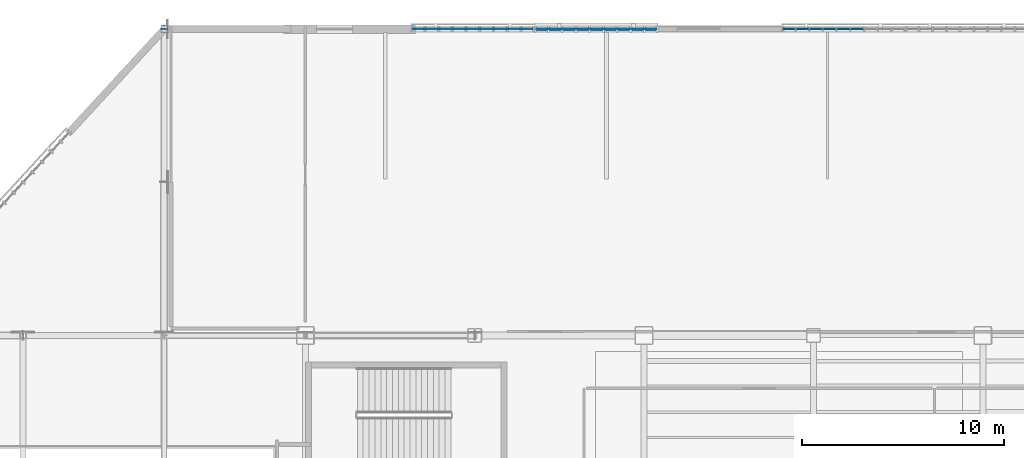
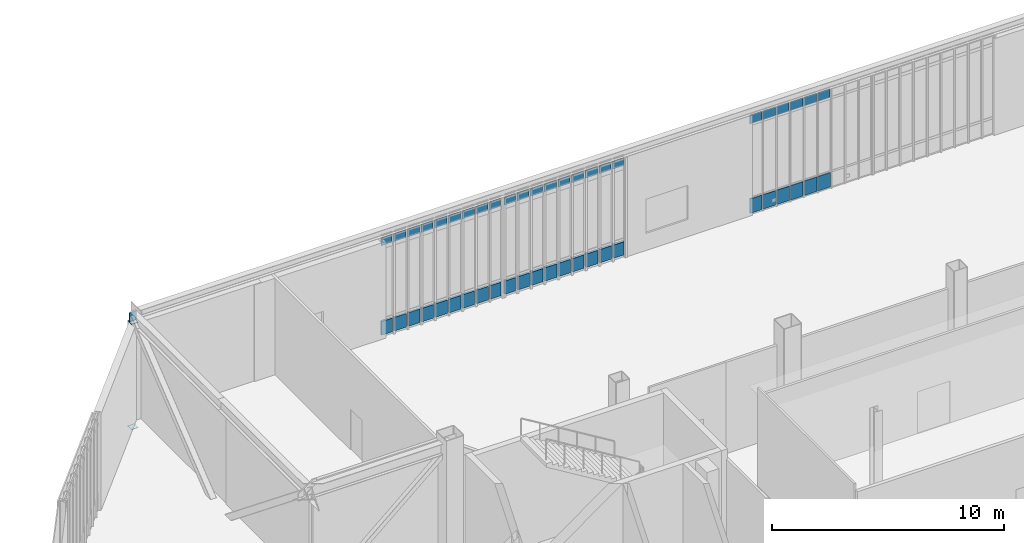
# One storey, part 97 of 135: 51 plates, 3 elements without a shape of their own.
"""IFC4 building model written with IfcOpenShell, lengths in metres."""

from ifc_helpers import new_model, si_unit, direction, frame, origin, origin_2d, place, context, subcontext, project, spatial, rectangle, extrude, material, layer, layer_set, type_object, element, aggregate, save


model = new_model("IFC4")

# Units and contexts
model_context = context("Model", 3, precision=1e-05, world=origin(), true_north=direction((0.0, 1.0)))
body_context = subcontext(model_context, "Body", "Model", "MODEL_VIEW")
ifc_project = project(units=[si_unit("LENGTHUNIT", "METRE"), si_unit("AREAUNIT", "SQUARE_METRE"), si_unit("VOLUMEUNIT", "CUBIC_METRE"), si_unit("PLANEANGLEUNIT", "RADIAN"), si_unit("MASSUNIT", "GRAM", prefix="KILO")], contexts=[model_context])

# Site, building, storey
site_placement = place(None, origin())
site = spatial("IfcSite", under=ifc_project, at=site_placement, CompositionType="ELEMENT")
building_placement = place(site_placement, origin())
building = spatial("IfcBuilding", under=site, at=building_placement, Name="Larkvane Passage Sports Hall", CompositionType="ELEMENT")
storey_placement = place(building_placement, frame((0.0, 0.0, 10.800048828125)))
storey = spatial("IfcBuildingStorey", under=building, at=storey_placement, Name="L02", CompositionType="ELEMENT", Elevation=10.800048828125)

# Curtain wall, plates
ifc_material_1 = material(Name="Thermally broken aluminium and low-E glazing", Category="aluminium")
curtain_wall_type_1 = type_object("IfcCurtainWallType", Name="CW-STICK-FOYER", PredefinedType="USERDEFINED", material=ifc_material_1)
curtain_wall_1_placement = place(storey_placement, origin())
curtain_wall_1 = element("IfcCurtainWall", 1, at=curtain_wall_1_placement, inside=storey, type_object=curtain_wall_type_1, Name="Curtain wall CW5-L02-098", ObjectType="STICK CURTAIN WALL", PredefinedType="USERDEFINED")
ifc_material_2 = material(Name="Fire-stopped shadow-box spandrel panel")
ifc_layer_1 = layer(ifc_material_2, 0.10498046875)
ifc_layer_set_1 = layer_set([ifc_layer_1], Name="Fire-stopped shadow-box spandrel panel")
plate_type_1 = type_object("IfcPlateType", Name="CWP-SPD-105", PredefinedType="CURTAIN_PANEL", material=ifc_layer_set_1)
plate_1_placement = place(storey_placement, frame((40.412841796875, 106.800048828125, 0.08984375), z_axis=(0.0, 0.0, 1.0), x_axis=(1.0, 0.0, 0.0)))
plate_1 = element("IfcPlate", 2, at=plate_1_placement, type_object=plate_type_1, Name="CW-03 panel 1.1", PredefinedType="CURTAIN_PANEL", context=body_context, shape_type="SweptSolid", body=[
    extrude(rectangle(XDim=0.545654296875, YDim=0.10498046875, at=origin_2d()), origin(), (0.0, 0.0, 1.0), 0.715087890625),
])
plate_2_placement = place(storey_placement, frame((41.07080078125, 106.800048828125, 0.08984375), z_axis=(0.0, 0.0, 1.0), x_axis=(1.0, 0.0, 0.0)))
plate_2 = element("IfcPlate", 3, at=plate_2_placement, type_object=plate_type_1, Name="CW-03 panel 2.1", PredefinedType="CURTAIN_PANEL", context=body_context, shape_type="SweptSolid", body=[
    extrude(rectangle(XDim=0.590576171875, YDim=0.10498046875, at=origin_2d()), origin(), (0.0, 0.0, 1.0), 0.715087890625),
])
plate_3_placement = place(storey_placement, frame((41.75146484375, 106.800048828125, 0.08984375), z_axis=(0.0, 0.0, 1.0), x_axis=(1.0, 0.0, 0.0)))
plate_3 = element("IfcPlate", 4, at=plate_3_placement, type_object=plate_type_1, Name="CW-03 panel 3.1", PredefinedType="CURTAIN_PANEL", context=body_context, shape_type="SweptSolid", body=[
    extrude(rectangle(XDim=0.590576171875, YDim=0.10498046875, at=origin_2d()), origin(), (0.0, 0.0, 1.0), 0.715087890625),
])
plate_4_placement = place(storey_placement, frame((42.431884765625, 106.800048828125, 0.08984375), z_axis=(0.0, 0.0, 1.0), x_axis=(1.0, 0.0, 0.0)))
plate_4 = element("IfcPlate", 5, at=plate_4_placement, type_object=plate_type_1, Name="CW-03 panel 4.1", PredefinedType="CURTAIN_PANEL", context=body_context, shape_type="SweptSolid", body=[
    extrude(rectangle(XDim=0.590576171875, YDim=0.10498046875, at=origin_2d()), origin(), (0.0, 0.0, 1.0), 0.715087890625),
])
plate_5_placement = place(storey_placement, frame((43.112548828125, 106.800048828125, 0.08984375), z_axis=(0.0, 0.0, 1.0), x_axis=(1.0, 0.0, 0.0)))
plate_5 = element("IfcPlate", 6, at=plate_5_placement, type_object=plate_type_1, Name="CW-03 panel 5.1", PredefinedType="CURTAIN_PANEL", context=body_context, shape_type="SweptSolid", body=[
    extrude(rectangle(XDim=0.590576171875, YDim=0.10498046875, at=origin_2d()), origin(), (0.0, 0.0, 1.0), 0.715087890625),
])
plate_6_placement = place(storey_placement, frame((43.79296875, 106.800048828125, 0.08984375), z_axis=(0.0, 0.0, 1.0), x_axis=(1.0, 0.0, 0.0)))
plate_6 = element("IfcPlate", 7, at=plate_6_placement, type_object=plate_type_1, Name="CW-03 panel 6.1", PredefinedType="CURTAIN_PANEL", context=body_context, shape_type="SweptSolid", body=[
    extrude(rectangle(XDim=0.590576171875, YDim=0.10498046875, at=origin_2d()), origin(), (0.0, 0.0, 1.0), 0.715087890625),
])
plate_7_placement = place(storey_placement, frame((44.4736328125, 106.800048828125, 0.08984375), z_axis=(0.0, 0.0, 1.0), x_axis=(1.0, 0.0, 0.0)))
plate_7 = element("IfcPlate", 8, at=plate_7_placement, type_object=plate_type_1, Name="CW-03 panel 7.1", PredefinedType="CURTAIN_PANEL", context=body_context, shape_type="SweptSolid", body=[
    extrude(rectangle(XDim=0.590576171875, YDim=0.10498046875, at=origin_2d()), origin(), (0.0, 0.0, 1.0), 0.715087890625),
])
plate_8_placement = place(storey_placement, frame((45.154052734375, 106.800048828125, 0.08984375), z_axis=(0.0, 0.0, 1.0), x_axis=(1.0, 0.0, 0.0)))
plate_8 = element("IfcPlate", 9, at=plate_8_placement, type_object=plate_type_1, Name="CW-03 panel 8.1", PredefinedType="CURTAIN_PANEL", context=body_context, shape_type="SweptSolid", body=[
    extrude(rectangle(XDim=0.590576171875, YDim=0.10498046875, at=origin_2d()), origin(), (0.0, 0.0, 1.0), 0.715087890625),
])
plate_9_placement = place(storey_placement, frame((45.812255859375, 106.800048828125, 0.08984375), z_axis=(0.0, 0.0, 1.0), x_axis=(1.0, 0.0, 0.0)))
plate_9 = element("IfcPlate", 10, at=plate_9_placement, type_object=plate_type_1, Name="CW-03 panel 9.1", PredefinedType="CURTAIN_PANEL", context=body_context, shape_type="SweptSolid", body=[
    extrude(rectangle(XDim=0.545654296875, YDim=0.10498046875, at=origin_2d()), origin(), (0.0, 0.0, 1.0), 0.715087890625),
])

curtain_wall_type_2 = type_object("IfcCurtainWallType", Name="CW-CLINIC", PredefinedType="USERDEFINED", material=ifc_material_1)
curtain_wall_2_placement = place(storey_placement, origin())
curtain_wall_2 = element("IfcCurtainWall", 11, at=curtain_wall_2_placement, inside=storey, type_object=curtain_wall_type_2, Name="Curtain wall CW5-L02-099", ObjectType="UNITISED CURTAIN WALL", PredefinedType="USERDEFINED")
ifc_material_3 = material(Name="Deep insulated facade spandrel panel")
ifc_layer_2 = layer(ifc_material_3, 0.125)
ifc_layer_set_2 = layer_set([ifc_layer_2], Name="Deep insulated facade spandrel panel")
plate_type_2 = type_object("IfcPlateType", Name="CWP-SPD-125", PredefinedType="CURTAIN_PANEL", material=ifc_layer_set_2)
plate_10_placement = place(storey_placement, frame((46.540283203125, 106.800048828125, 0.10009765625), z_axis=(0.0, 0.0, 1.0), x_axis=(1.0, 0.0, 0.0)))
plate_10 = element("IfcPlate", 12, at=plate_10_placement, type_object=plate_type_2, Name="CW-05 panel 1.1", PredefinedType="CURTAIN_PANEL", context=body_context, shape_type="SweptSolid", body=[
    extrude(rectangle(XDim=0.530517578125, YDim=0.125, at=origin_2d()), origin(), (0.0, 0.0, 1.0), 0.699951171875),
])
plate_11_placement = place(storey_placement, frame((47.19580078125, 106.800048828125, 0.10009765625), z_axis=(0.0, 0.0, 1.0), x_axis=(1.0, 0.0, 0.0)))
plate_11 = element("IfcPlate", 13, at=plate_11_placement, type_object=plate_type_2, Name="CW-05 panel 2.1", PredefinedType="CURTAIN_PANEL", context=body_context, shape_type="SweptSolid", body=[
    extrude(rectangle(XDim=0.58056640625, YDim=0.125, at=origin_2d()), origin(), (0.0, 0.0, 1.0), 0.699951171875),
])
plate_12_placement = place(storey_placement, frame((47.87646484375, 106.800048828125, 0.10009765625), z_axis=(0.0, 0.0, 1.0), x_axis=(1.0, 0.0, 0.0)))
plate_12 = element("IfcPlate", 14, at=plate_12_placement, type_object=plate_type_2, Name="CW-05 panel 3.1", PredefinedType="CURTAIN_PANEL", context=body_context, shape_type="SweptSolid", body=[
    extrude(rectangle(XDim=0.58056640625, YDim=0.125, at=origin_2d()), origin(), (0.0, 0.0, 1.0), 0.699951171875),
])
plate_13_placement = place(storey_placement, frame((48.556884765625, 106.800048828125, 0.10009765625), z_axis=(0.0, 0.0, 1.0), x_axis=(1.0, 0.0, 0.0)))
plate_13 = element("IfcPlate", 15, at=plate_13_placement, type_object=plate_type_2, Name="CW-05 panel 4.1", PredefinedType="CURTAIN_PANEL", context=body_context, shape_type="SweptSolid", body=[
    extrude(rectangle(XDim=0.58056640625, YDim=0.125, at=origin_2d()), origin(), (0.0, 0.0, 1.0), 0.699951171875),
])
plate_14_placement = place(storey_placement, frame((49.237548828125, 106.800048828125, 0.10009765625), z_axis=(0.0, 0.0, 1.0), x_axis=(1.0, 0.0, 0.0)))
plate_14 = element("IfcPlate", 16, at=plate_14_placement, type_object=plate_type_2, Name="CW-05 panel 5.1", PredefinedType="CURTAIN_PANEL", context=body_context, shape_type="SweptSolid", body=[
    extrude(rectangle(XDim=0.58056640625, YDim=0.125, at=origin_2d()), origin(), (0.0, 0.0, 1.0), 0.699951171875),
])
plate_15_placement = place(storey_placement, frame((49.91796875, 106.800048828125, 0.10009765625), z_axis=(0.0, 0.0, 1.0), x_axis=(1.0, 0.0, 0.0)))
plate_15 = element("IfcPlate", 17, at=plate_15_placement, type_object=plate_type_2, Name="CW-05 panel 6.1", PredefinedType="CURTAIN_PANEL", context=body_context, shape_type="SweptSolid", body=[
    extrude(rectangle(XDim=0.58056640625, YDim=0.125, at=origin_2d()), origin(), (0.0, 0.0, 1.0), 0.699951171875),
])
plate_16_placement = place(storey_placement, frame((50.5986328125, 106.800048828125, 0.10009765625), z_axis=(0.0, 0.0, 1.0), x_axis=(1.0, 0.0, 0.0)))
plate_16 = element("IfcPlate", 18, at=plate_16_placement, type_object=plate_type_2, Name="CW-05 panel 7.1", PredefinedType="CURTAIN_PANEL", context=body_context, shape_type="SweptSolid", body=[
    extrude(rectangle(XDim=0.58056640625, YDim=0.125, at=origin_2d()), origin(), (0.0, 0.0, 1.0), 0.699951171875),
])
plate_17_placement = place(storey_placement, frame((51.279052734375, 106.800048828125, 0.10009765625), z_axis=(0.0, 0.0, 1.0), x_axis=(1.0, 0.0, 0.0)))
plate_17 = element("IfcPlate", 19, at=plate_17_placement, type_object=plate_type_2, Name="CW-05 panel 8.1", PredefinedType="CURTAIN_PANEL", context=body_context, shape_type="SweptSolid", body=[
    extrude(rectangle(XDim=0.58056640625, YDim=0.125, at=origin_2d()), origin(), (0.0, 0.0, 1.0), 0.699951171875),
])
plate_18_placement = place(storey_placement, frame((51.934814453125, 106.800048828125, 0.10009765625), z_axis=(0.0, 0.0, 1.0), x_axis=(1.0, 0.0, 0.0)))
plate_18 = element("IfcPlate", 20, at=plate_18_placement, type_object=plate_type_2, Name="CW-05 panel 9.1", PredefinedType="CURTAIN_PANEL", context=body_context, shape_type="SweptSolid", body=[
    extrude(rectangle(XDim=0.530517578125, YDim=0.125, at=origin_2d()), origin(), (0.0, 0.0, 1.0), 0.699951171875),
])

curtain_wall_type_3 = type_object("IfcCurtainWallType", Name="CW-UNIT-COURT", PredefinedType="USERDEFINED", material=ifc_material_1)
curtain_wall_3_placement = place(storey_placement, origin())
curtain_wall_3 = element("IfcCurtainWall", 21, at=curtain_wall_3_placement, inside=storey, type_object=curtain_wall_type_3, Name="Curtain wall CW5-L02-100", ObjectType="UNITISED CURTAIN WALL", PredefinedType="USERDEFINED")
ifc_material_4 = material(Name="Insulated aluminium spandrel panel", Category="aluminium")
ifc_layer_3 = layer(ifc_material_4, 0.06494140625)
ifc_layer_set_3 = layer_set([ifc_layer_3], Name="Insulated aluminium spandrel panel")
plate_type_3 = type_object("IfcPlateType", Name="CWP-SPD-65", PredefinedType="CURTAIN_PANEL", material=ifc_layer_set_3)
plate_19_placement = place(storey_placement, frame((58.7802734375, 106.800048828125, 0.06005859375), z_axis=(0.0, 0.0, 1.0), x_axis=(1.0, 0.0, 0.0)))
plate_19 = element("IfcPlate", 22, at=plate_19_placement, type_object=plate_type_3, Name="CW-01 panel 1.1", PredefinedType="CURTAIN_PANEL", context=body_context, shape_type="SweptSolid", body=[
    extrude(rectangle(XDim=0.590576171875, YDim=0.06494140625, at=origin_2d()), origin(), (0.0, 0.0, 1.0), 0.760009765625),
])
plate_20_placement = place(storey_placement, frame((59.44580078125, 106.800048828125, 0.06005859375), z_axis=(0.0, 0.0, 1.0), x_axis=(1.0, 0.0, 0.0)))
plate_20 = element("IfcPlate", 23, at=plate_20_placement, type_object=plate_type_3, Name="CW-01 panel 2.1", PredefinedType="CURTAIN_PANEL", context=body_context, shape_type="SweptSolid", body=[
    extrude(rectangle(XDim=0.62060546875, YDim=0.06494140625, at=origin_2d()), origin(), (0.0, 0.0, 1.0), 0.760009765625),
])
plate_21_placement = place(storey_placement, frame((60.12646484375, 106.800048828125, 0.06005859375), z_axis=(0.0, 0.0, 1.0), x_axis=(1.0, 0.0, 0.0)))
plate_21 = element("IfcPlate", 24, at=plate_21_placement, type_object=plate_type_3, Name="CW-01 panel 3.1", PredefinedType="CURTAIN_PANEL", context=body_context, shape_type="SweptSolid", body=[
    extrude(rectangle(XDim=0.62060546875, YDim=0.06494140625, at=origin_2d()), origin(), (0.0, 0.0, 1.0), 0.760009765625),
])
plate_22_placement = place(storey_placement, frame((60.806884765625, 106.800048828125, 0.06005859375), z_axis=(0.0, 0.0, 1.0), x_axis=(1.0, 0.0, 0.0)))
plate_22 = element("IfcPlate", 25, at=plate_22_placement, type_object=plate_type_3, Name="CW-01 panel 4.1", PredefinedType="CURTAIN_PANEL", context=body_context, shape_type="SweptSolid", body=[
    extrude(rectangle(XDim=0.62060546875, YDim=0.06494140625, at=origin_2d()), origin(), (0.0, 0.0, 1.0), 0.760009765625),
])
plate_23_placement = place(storey_placement, frame((61.487548828125, 106.800048828125, 0.06005859375), z_axis=(0.0, 0.0, 1.0), x_axis=(1.0, 0.0, 0.0)))
plate_23 = element("IfcPlate", 26, at=plate_23_placement, type_object=plate_type_3, Name="CW-01 panel 5.1", PredefinedType="CURTAIN_PANEL", context=body_context, shape_type="SweptSolid", body=[
    extrude(rectangle(XDim=0.62060546875, YDim=0.06494140625, at=origin_2d()), origin(), (0.0, 0.0, 1.0), 0.760009765625),
])
plate_24_placement = place(storey_placement, frame((62.16796875, 106.800048828125, 0.06005859375), z_axis=(0.0, 0.0, 1.0), x_axis=(1.0, 0.0, 0.0)))
plate_24 = element("IfcPlate", 27, at=plate_24_placement, type_object=plate_type_3, Name="CW-01 panel 6.1", PredefinedType="CURTAIN_PANEL", context=body_context, shape_type="SweptSolid", body=[
    extrude(rectangle(XDim=0.62060546875, YDim=0.06494140625, at=origin_2d()), origin(), (0.0, 0.0, 1.0), 0.760009765625),
])
ifc_material_5 = material(Name="Solar-control low-E double glazing", Category="glass")
ifc_layer_4 = layer(ifc_material_5, 0.028076171875)
ifc_layer_set_4 = layer_set([ifc_layer_4], Name="Solar-control low-E double glazing")
plate_type_4 = type_object("IfcPlateType", Name="CWP-VIS-28", PredefinedType="CURTAIN_PANEL", material=ifc_layer_set_4)
plate_25_placement = place(storey_placement, frame((58.7802734375, 106.800048828125, 4.758056640625), z_axis=(0.0, 0.0, 1.0), x_axis=(1.0, 0.0, 0.0)))
plate_25 = element("IfcPlate", 28, at=plate_25_placement, type_object=plate_type_4, Name="CW-01 panel 1.3", PredefinedType="CURTAIN_PANEL", context=body_context, shape_type="SweptSolid", body=[
    extrude(rectangle(XDim=0.590576171875, YDim=0.028076171875, at=origin_2d()), origin(), (0.0, 0.0, 1.0), 0.4599609375),
])
plate_26_placement = place(storey_placement, frame((59.44580078125, 106.800048828125, 4.758056640625), z_axis=(0.0, 0.0, 1.0), x_axis=(1.0, 0.0, 0.0)))
plate_26 = element("IfcPlate", 29, at=plate_26_placement, type_object=plate_type_4, Name="CW-01 panel 2.3", PredefinedType="CURTAIN_PANEL", context=body_context, shape_type="SweptSolid", body=[
    extrude(rectangle(XDim=0.62060546875, YDim=0.028076171875, at=origin_2d()), origin(), (0.0, 0.0, 1.0), 0.4599609375),
])
plate_27_placement = place(storey_placement, frame((60.12646484375, 106.800048828125, 4.758056640625), z_axis=(0.0, 0.0, 1.0), x_axis=(1.0, 0.0, 0.0)))
plate_27 = element("IfcPlate", 30, at=plate_27_placement, type_object=plate_type_4, Name="CW-01 panel 3.3", PredefinedType="CURTAIN_PANEL", context=body_context, shape_type="SweptSolid", body=[
    extrude(rectangle(XDim=0.62060546875, YDim=0.028076171875, at=origin_2d()), origin(), (0.0, 0.0, 1.0), 0.4599609375),
])
plate_28_placement = place(storey_placement, frame((60.806884765625, 106.800048828125, 4.758056640625), z_axis=(0.0, 0.0, 1.0), x_axis=(1.0, 0.0, 0.0)))
plate_28 = element("IfcPlate", 31, at=plate_28_placement, type_object=plate_type_4, Name="CW-01 panel 4.3", PredefinedType="CURTAIN_PANEL", context=body_context, shape_type="SweptSolid", body=[
    extrude(rectangle(XDim=0.62060546875, YDim=0.028076171875, at=origin_2d()), origin(), (0.0, 0.0, 1.0), 0.4599609375),
])
plate_29_placement = place(storey_placement, frame((61.487548828125, 106.800048828125, 4.758056640625), z_axis=(0.0, 0.0, 1.0), x_axis=(1.0, 0.0, 0.0)))
plate_29 = element("IfcPlate", 32, at=plate_29_placement, type_object=plate_type_4, Name="CW-01 panel 5.3", PredefinedType="CURTAIN_PANEL", context=body_context, shape_type="SweptSolid", body=[
    extrude(rectangle(XDim=0.62060546875, YDim=0.028076171875, at=origin_2d()), origin(), (0.0, 0.0, 1.0), 0.4599609375),
])
plate_30_placement = place(storey_placement, frame((62.16796875, 106.800048828125, 4.758056640625), z_axis=(0.0, 0.0, 1.0), x_axis=(1.0, 0.0, 0.0)))
plate_30 = element("IfcPlate", 33, at=plate_30_placement, type_object=plate_type_4, Name="CW-01 panel 6.3", PredefinedType="CURTAIN_PANEL", context=body_context, shape_type="SweptSolid", body=[
    extrude(rectangle(XDim=0.62060546875, YDim=0.028076171875, at=origin_2d()), origin(), (0.0, 0.0, 1.0), 0.4599609375),
])
aggregate(curtain_wall_3, [plate_19, plate_25, plate_20, plate_26, plate_21, plate_27, plate_22, plate_28, plate_23, plate_29, plate_24, plate_30])

# Plate
ifc_material_6 = material(Name="High-impact court low-E glazing", Category="glass")
ifc_layer_5 = layer(ifc_material_6, 0.035888671875)
ifc_layer_set_5 = layer_set([ifc_layer_5], Name="High-impact court low-E glazing")
plate_type_5 = type_object("IfcPlateType", Name="CWP-VIS-36", PredefinedType="CURTAIN_PANEL", material=ifc_layer_set_5)
plate_31_placement = place(storey_placement, frame((40.412841796875, 106.800048828125, 4.77294921875), z_axis=(0.0, 0.0, 1.0), x_axis=(1.0, 0.0, 0.0)))
plate_31 = element("IfcPlate", 34, at=plate_31_placement, type_object=plate_type_5, Name="CW-03 panel 1.3", PredefinedType="CURTAIN_PANEL", context=body_context, shape_type="SweptSolid", body=[
    extrude(rectangle(XDim=0.545654296875, YDim=0.035888671875, at=origin_2d()), origin(), (0.0, 0.0, 1.0), 0.4150390625),
])

plate_32_placement = place(storey_placement, frame((41.07080078125, 106.800048828125, 4.77294921875), z_axis=(0.0, 0.0, 1.0), x_axis=(1.0, 0.0, 0.0)))
plate_32 = element("IfcPlate", 35, at=plate_32_placement, type_object=plate_type_5, Name="CW-03 panel 2.3", PredefinedType="CURTAIN_PANEL", context=body_context, shape_type="SweptSolid", body=[
    extrude(rectangle(XDim=0.590576171875, YDim=0.035888671875, at=origin_2d()), origin(), (0.0, 0.0, 1.0), 0.4150390625),
])

plate_33_placement = place(storey_placement, frame((41.75146484375, 106.800048828125, 4.77294921875), z_axis=(0.0, 0.0, 1.0), x_axis=(1.0, 0.0, 0.0)))
plate_33 = element("IfcPlate", 36, at=plate_33_placement, type_object=plate_type_5, Name="CW-03 panel 3.3", PredefinedType="CURTAIN_PANEL", context=body_context, shape_type="SweptSolid", body=[
    extrude(rectangle(XDim=0.590576171875, YDim=0.035888671875, at=origin_2d()), origin(), (0.0, 0.0, 1.0), 0.4150390625),
])

plate_34_placement = place(storey_placement, frame((42.431884765625, 106.800048828125, 4.77294921875), z_axis=(0.0, 0.0, 1.0), x_axis=(1.0, 0.0, 0.0)))
plate_34 = element("IfcPlate", 37, at=plate_34_placement, type_object=plate_type_5, Name="CW-03 panel 4.3", PredefinedType="CURTAIN_PANEL", context=body_context, shape_type="SweptSolid", body=[
    extrude(rectangle(XDim=0.590576171875, YDim=0.035888671875, at=origin_2d()), origin(), (0.0, 0.0, 1.0), 0.4150390625),
])

plate_35_placement = place(storey_placement, frame((43.112548828125, 106.800048828125, 4.77294921875), z_axis=(0.0, 0.0, 1.0), x_axis=(1.0, 0.0, 0.0)))
plate_35 = element("IfcPlate", 38, at=plate_35_placement, type_object=plate_type_5, Name="CW-03 panel 5.3", PredefinedType="CURTAIN_PANEL", context=body_context, shape_type="SweptSolid", body=[
    extrude(rectangle(XDim=0.590576171875, YDim=0.035888671875, at=origin_2d()), origin(), (0.0, 0.0, 1.0), 0.4150390625),
])

plate_36_placement = place(storey_placement, frame((43.79296875, 106.800048828125, 4.77294921875), z_axis=(0.0, 0.0, 1.0), x_axis=(1.0, 0.0, 0.0)))
plate_36 = element("IfcPlate", 39, at=plate_36_placement, type_object=plate_type_5, Name="CW-03 panel 6.3", PredefinedType="CURTAIN_PANEL", context=body_context, shape_type="SweptSolid", body=[
    extrude(rectangle(XDim=0.590576171875, YDim=0.035888671875, at=origin_2d()), origin(), (0.0, 0.0, 1.0), 0.4150390625),
])

plate_37_placement = place(storey_placement, frame((44.4736328125, 106.800048828125, 4.77294921875), z_axis=(0.0, 0.0, 1.0), x_axis=(1.0, 0.0, 0.0)))
plate_37 = element("IfcPlate", 40, at=plate_37_placement, type_object=plate_type_5, Name="CW-03 panel 7.3", PredefinedType="CURTAIN_PANEL", context=body_context, shape_type="SweptSolid", body=[
    extrude(rectangle(XDim=0.590576171875, YDim=0.035888671875, at=origin_2d()), origin(), (0.0, 0.0, 1.0), 0.4150390625),
])

plate_38_placement = place(storey_placement, frame((45.154052734375, 106.800048828125, 4.77294921875), z_axis=(0.0, 0.0, 1.0), x_axis=(1.0, 0.0, 0.0)))
plate_38 = element("IfcPlate", 41, at=plate_38_placement, type_object=plate_type_5, Name="CW-03 panel 8.3", PredefinedType="CURTAIN_PANEL", context=body_context, shape_type="SweptSolid", body=[
    extrude(rectangle(XDim=0.590576171875, YDim=0.035888671875, at=origin_2d()), origin(), (0.0, 0.0, 1.0), 0.4150390625),
])

plate_39_placement = place(storey_placement, frame((45.812255859375, 106.800048828125, 4.77294921875), z_axis=(0.0, 0.0, 1.0), x_axis=(1.0, 0.0, 0.0)))
plate_39 = element("IfcPlate", 42, at=plate_39_placement, type_object=plate_type_5, Name="CW-03 panel 9.3", PredefinedType="CURTAIN_PANEL", context=body_context, shape_type="SweptSolid", body=[
    extrude(rectangle(XDim=0.545654296875, YDim=0.035888671875, at=origin_2d()), origin(), (0.0, 0.0, 1.0), 0.4150390625),
])

aggregate(curtain_wall_1, [plate_1, plate_31, plate_2, plate_32, plate_3, plate_33, plate_4, plate_34, plate_5, plate_35, plate_6, plate_36, plate_7, plate_37, plate_8, plate_38, plate_9, plate_39])

ifc_material_7 = material(Name="Triple-laminated typhoon glazing", Category="glass")
ifc_layer_6 = layer(ifc_material_7, 0.0419921875)
ifc_layer_set_6 = layer_set([ifc_layer_6], Name="Triple-laminated typhoon glazing")
plate_type_6 = type_object("IfcPlateType", Name="CWP-VIS-42", PredefinedType="CURTAIN_PANEL", material=ifc_layer_set_6)
plate_40_placement = place(storey_placement, frame((46.540283203125, 106.800048828125, 4.76806640625), z_axis=(0.0, 0.0, 1.0), x_axis=(1.0, 0.0, 0.0)))
plate_40 = element("IfcPlate", 43, at=plate_40_placement, type_object=plate_type_6, Name="CW-05 panel 1.3", PredefinedType="CURTAIN_PANEL", context=body_context, shape_type="SweptSolid", body=[
    extrude(rectangle(XDim=0.530517578125, YDim=0.0419921875, at=origin_2d()), origin(), (0.0, 0.0, 1.0), 0.39990234375),
])

plate_41_placement = place(storey_placement, frame((47.19580078125, 106.800048828125, 4.76806640625), z_axis=(0.0, 0.0, 1.0), x_axis=(1.0, 0.0, 0.0)))
plate_41 = element("IfcPlate", 44, at=plate_41_placement, type_object=plate_type_6, Name="CW-05 panel 2.3", PredefinedType="CURTAIN_PANEL", context=body_context, shape_type="SweptSolid", body=[
    extrude(rectangle(XDim=0.58056640625, YDim=0.0419921875, at=origin_2d()), origin(), (0.0, 0.0, 1.0), 0.39990234375),
])

plate_42_placement = place(storey_placement, frame((47.87646484375, 106.800048828125, 4.76806640625), z_axis=(0.0, 0.0, 1.0), x_axis=(1.0, 0.0, 0.0)))
plate_42 = element("IfcPlate", 45, at=plate_42_placement, type_object=plate_type_6, Name="CW-05 panel 3.3", PredefinedType="CURTAIN_PANEL", context=body_context, shape_type="SweptSolid", body=[
    extrude(rectangle(XDim=0.58056640625, YDim=0.0419921875, at=origin_2d()), origin(), (0.0, 0.0, 1.0), 0.39990234375),
])

plate_43_placement = place(storey_placement, frame((48.556884765625, 106.800048828125, 4.76806640625), z_axis=(0.0, 0.0, 1.0), x_axis=(1.0, 0.0, 0.0)))
plate_43 = element("IfcPlate", 46, at=plate_43_placement, type_object=plate_type_6, Name="CW-05 panel 4.3", PredefinedType="CURTAIN_PANEL", context=body_context, shape_type="SweptSolid", body=[
    extrude(rectangle(XDim=0.58056640625, YDim=0.0419921875, at=origin_2d()), origin(), (0.0, 0.0, 1.0), 0.39990234375),
])

plate_44_placement = place(storey_placement, frame((49.237548828125, 106.800048828125, 4.76806640625), z_axis=(0.0, 0.0, 1.0), x_axis=(1.0, 0.0, 0.0)))
plate_44 = element("IfcPlate", 47, at=plate_44_placement, type_object=plate_type_6, Name="CW-05 panel 5.3", PredefinedType="CURTAIN_PANEL", context=body_context, shape_type="SweptSolid", body=[
    extrude(rectangle(XDim=0.58056640625, YDim=0.0419921875, at=origin_2d()), origin(), (0.0, 0.0, 1.0), 0.39990234375),
])

plate_45_placement = place(storey_placement, frame((49.91796875, 106.800048828125, 4.76806640625), z_axis=(0.0, 0.0, 1.0), x_axis=(1.0, 0.0, 0.0)))
plate_45 = element("IfcPlate", 48, at=plate_45_placement, type_object=plate_type_6, Name="CW-05 panel 6.3", PredefinedType="CURTAIN_PANEL", context=body_context, shape_type="SweptSolid", body=[
    extrude(rectangle(XDim=0.58056640625, YDim=0.0419921875, at=origin_2d()), origin(), (0.0, 0.0, 1.0), 0.39990234375),
])

plate_46_placement = place(storey_placement, frame((50.5986328125, 106.800048828125, 4.76806640625), z_axis=(0.0, 0.0, 1.0), x_axis=(1.0, 0.0, 0.0)))
plate_46 = element("IfcPlate", 49, at=plate_46_placement, type_object=plate_type_6, Name="CW-05 panel 7.3", PredefinedType="CURTAIN_PANEL", context=body_context, shape_type="SweptSolid", body=[
    extrude(rectangle(XDim=0.58056640625, YDim=0.0419921875, at=origin_2d()), origin(), (0.0, 0.0, 1.0), 0.39990234375),
])

plate_47_placement = place(storey_placement, frame((51.279052734375, 106.800048828125, 4.76806640625), z_axis=(0.0, 0.0, 1.0), x_axis=(1.0, 0.0, 0.0)))
plate_47 = element("IfcPlate", 50, at=plate_47_placement, type_object=plate_type_6, Name="CW-05 panel 8.3", PredefinedType="CURTAIN_PANEL", context=body_context, shape_type="SweptSolid", body=[
    extrude(rectangle(XDim=0.58056640625, YDim=0.0419921875, at=origin_2d()), origin(), (0.0, 0.0, 1.0), 0.39990234375),
])

plate_48_placement = place(storey_placement, frame((51.934814453125, 106.800048828125, 4.76806640625), z_axis=(0.0, 0.0, 1.0), x_axis=(1.0, 0.0, 0.0)))
plate_48 = element("IfcPlate", 51, at=plate_48_placement, type_object=plate_type_6, Name="CW-05 panel 9.3", PredefinedType="CURTAIN_PANEL", context=body_context, shape_type="SweptSolid", body=[
    extrude(rectangle(XDim=0.530517578125, YDim=0.0419921875, at=origin_2d()), origin(), (0.0, 0.0, 1.0), 0.39990234375),
])

aggregate(curtain_wall_2, [plate_10, plate_40, plate_11, plate_41, plate_12, plate_42, plate_13, plate_43, plate_14, plate_44, plate_15, plate_45, plate_16, plate_46, plate_17, plate_47, plate_18, plate_48])

# Plates
ifc_material_8 = material(Name="Steel S460N", Category="steel")
ifc_layer_7 = layer(ifc_material_8, 0.02001953125)
ifc_layer_set_7 = layer_set([ifc_layer_7], Name="Steel S460N")
plate_type_7 = type_object("IfcPlateType", Name="PLT-CAP-20", PredefinedType="SHEET", material=ifc_layer_set_7)
plate_49_placement = place(storey_placement, frame((27.800048828125, 106.807861328125, 5.169921875), z_axis=(0.0, 0.0, 1.0), x_axis=(-1.0, 0.0, 0.0)))
element("IfcPlate", 52, at=plate_49_placement, inside=storey, type_object=plate_type_7, Name="Hollow section sealed end cap plate 0139", PredefinedType="SHEET", context=body_context, shape_type="SweptSolid", body=[
    extrude(rectangle(XDim=0.360107421875, YDim=0.028076171875, at=origin_2d()), origin(), (0.0, 0.0, 1.0), 0.445068359375),
])
for number, where, z_axis, x_axis, name in (
    (53, (27.800048828125, 106.800048828125, -0.43994140625), (0.0, 0.0, 1.0), (1.0, 0.0, 0.0), "Hollow section sealed end cap plate 0140"),
    (54, (27.800048828125, 106.800048828125, 5.092041015625), (0.0, 0.0, 1.0), (1.0, 0.0, 0.0), "Hollow section sealed end cap plate 0141"),
):
    element("IfcPlate", number, at=place(storey_placement, frame(where, z_axis=z_axis, x_axis=x_axis)), inside=storey, type_object=plate_type_7, Name=name, PredefinedType="SHEET", context=body_context, shape_type="SweptSolid", body=[
        extrude(rectangle(XDim=0.340087890625, YDim=0.340087890625, at=origin_2d()), origin(), (0.0, 0.0, 1.0), 0.02001953125),
    ])

save(model, "model.ifc")
